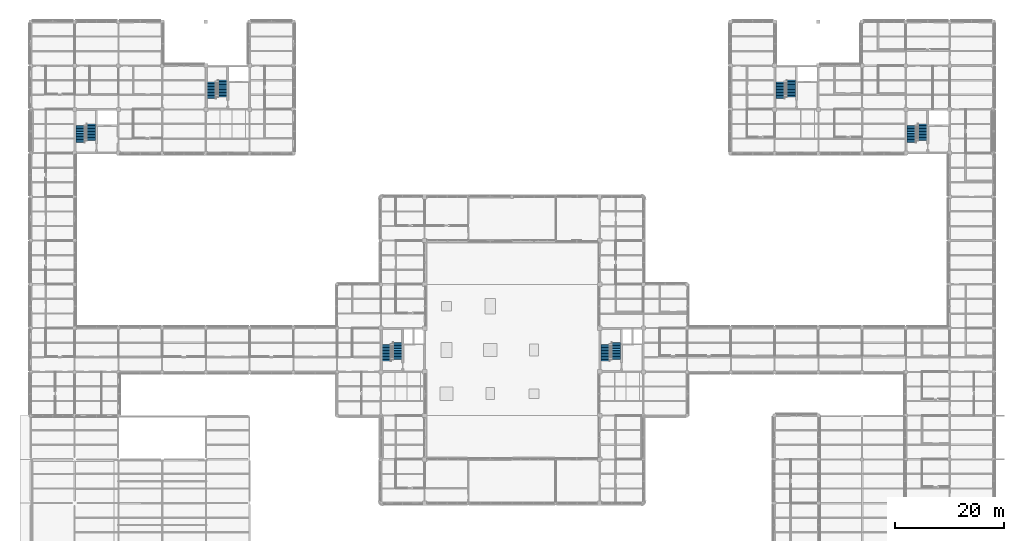
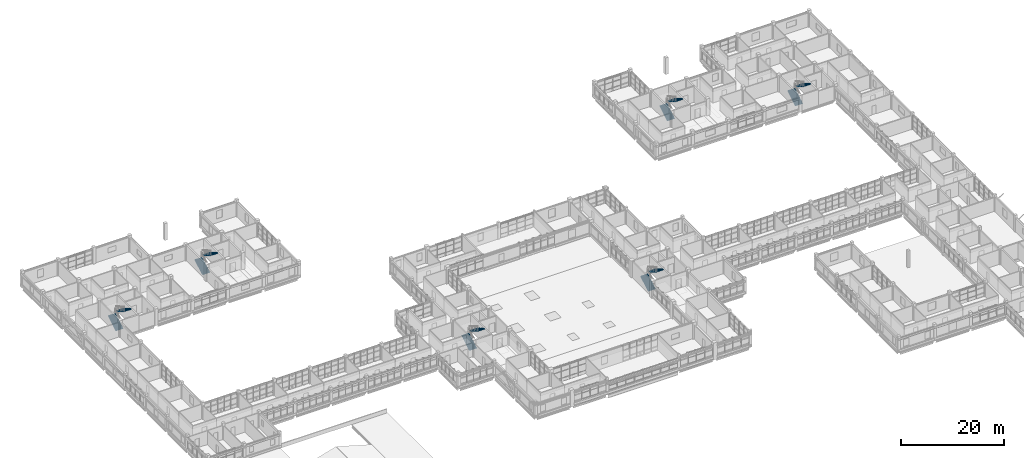
# One storey, part 89 of 107: 12 stair flights, 6 elements without a shape of their own.
"""IFC4 building model written with IfcOpenShell, lengths in metres."""

from ifc_helpers import new_model, si_unit, derived_unit, direction, frame, origin, place, context, subcontext, project, spatial, polyline, outline, extrude, material, type_object, element, aggregate, save


model = new_model("IFC4")

# Units and contexts
model_context = context("Model", 3, precision=1e-05, world=origin(), true_north=direction((0.0, 1.0)))
body_context = subcontext(model_context, "Body", "Model", "MODEL_VIEW")
ifc_project = project(units=[si_unit("LENGTHUNIT", "METRE"), si_unit("AREAUNIT", "SQUARE_METRE"), si_unit("VOLUMEUNIT", "CUBIC_METRE"), si_unit("PLANEANGLEUNIT", "RADIAN"), si_unit("MASSUNIT", "GRAM", prefix="KILO"), derived_unit("THERMALTRANSMITTANCEUNIT", [(si_unit("MASSUNIT", "GRAM", prefix="KILO"), 1), (si_unit("TIMEUNIT", "SECOND"), -3), (si_unit("THERMODYNAMICTEMPERATUREUNIT", "KELVIN"), -1)])], contexts=[model_context])

# Site, building, storey
site_placement = place(None, origin())
site = spatial("IfcSite", under=ifc_project, at=site_placement, CompositionType="ELEMENT")
building_placement = place(site_placement, origin())
building = spatial("IfcBuilding", under=site, at=building_placement, Name="Veyamyaing Civic Hall", CompositionType="ELEMENT")
storey_placement = place(building_placement, frame((0.0, 0.0, 13.860107421875)))
storey = spatial("IfcBuildingStorey", under=building, at=storey_placement, Name="L03", CompositionType="ELEMENT", Elevation=13.860107421875)

# Stair, stair flights
ifc_material = material(Name="Concrete C40/50", Category="concrete")
stair_type = type_object("IfcStairType", Name="ST-D", PredefinedType="HALF_TURN_STAIR", material=ifc_material)
stair_1_placement = place(storey_placement, origin())
stair_1 = element("IfcStair", 1, at=stair_1_placement, inside=storey, type_object=stair_type, Name="Protected exit stair ST-01 L03", PredefinedType="HALF_TURN_STAIR")
stair_flight_type = type_object("IfcStairFlightType", Name="SF-12", PredefinedType="STRAIGHT", material=ifc_material)
stair_flight_1_placement = place(storey_placement, frame((9.0400390625, 89.949951171875, 0.0), z_axis=(0.0, 0.0, 1.0), x_axis=(0.0, 1.0, 0.0)))
stair_flight_1 = element("IfcStairFlight", 2, at=stair_flight_1_placement, type_object=stair_flight_type, Name="ST-01 flight 1", NumberOfRisers=12, NumberOfTreads=11, PredefinedType="STRAIGHT", RiserHeight=0.165, TreadLength=0.28, context=body_context, shape_type="SweptSolid", body=[
    extrude(outline(polyline([(0.0, 0.0), (0.0, 0.1650390625), (0.280029296875, 0.1650390625), (0.280029296875, 0.330078125), (0.56005859375, 0.330078125), (0.56005859375, 0.4951171875), (0.840087890625, 0.4951171875), (0.840087890625, 0.659912109375), (1.1201171875, 0.659912109375), (1.1201171875, 0.824951171875), (1.39990234375, 0.824951171875), (1.39990234375, 0.989990234375), (1.679931640625, 0.989990234375), (1.679931640625, 1.155029296875), (1.9599609375, 1.155029296875), (1.9599609375, 1.320068359375), (2.239990234375, 1.320068359375), (2.239990234375, 1.485107421875), (2.52001953125, 1.485107421875), (2.52001953125, 1.64990234375), (2.800048828125, 1.64990234375), (2.800048828125, 1.81494140625), (3.080078125, 1.81494140625), (3.080078125, 1.97998046875), (3.080078125, 1.64111328125), (0.295166015625, 0.0), (0.0, 0.0)])), frame((0.0, 0.81982421875, 0.0), z_axis=(0.0, -1.0, 0.0), x_axis=(1.0, 0.0, 0.0)), (0.0, 0.0, 1.0), 1.639892578125),
])
stair_flight_2_placement = place(storey_placement, frame((11.030029296875, 93.35009765625, 1.97998046875), z_axis=(0.0, 0.0, 1.0), x_axis=(0.0, -1.0, 0.0)))
stair_flight_2 = element("IfcStairFlight", 3, at=stair_flight_2_placement, type_object=stair_flight_type, Name="ST-01 flight 2", NumberOfRisers=12, NumberOfTreads=11, PredefinedType="STRAIGHT", RiserHeight=0.165, TreadLength=0.28, context=body_context, shape_type="SweptSolid", body=[
    extrude(outline(polyline([(0.0, 0.0), (0.0, 0.1650390625), (0.280029296875, 0.1650390625), (0.280029296875, 0.330078125), (0.56005859375, 0.330078125), (0.56005859375, 0.4951171875), (0.840087890625, 0.4951171875), (0.840087890625, 0.659912109375), (1.1201171875, 0.659912109375), (1.1201171875, 0.824951171875), (1.39990234375, 0.824951171875), (1.39990234375, 0.989990234375), (1.679931640625, 0.989990234375), (1.679931640625, 1.155029296875), (1.9599609375, 1.155029296875), (1.9599609375, 1.320068359375), (2.239990234375, 1.320068359375), (2.239990234375, 1.485107421875), (2.52001953125, 1.485107421875), (2.52001953125, 1.64990234375), (2.800048828125, 1.64990234375), (2.800048828125, 1.81494140625), (3.080078125, 1.81494140625), (3.080078125, 1.97998046875), (3.080078125, 1.64111328125), (0.295166015625, 0.0), (0.0, 0.0)])), frame((0.0, 0.81982421875, 0.0), z_axis=(0.0, -1.0, 0.0), x_axis=(1.0, 0.0, 0.0)), (0.0, 0.0, 1.0), 1.639892578125),
])
aggregate(stair_1, [stair_flight_1, stair_flight_2])

stair_2_placement = place(storey_placement, origin())
stair_2 = element("IfcStair", 4, at=stair_2_placement, inside=storey, type_object=stair_type, Name="Protected exit stair ST-02 L03", PredefinedType="HALF_TURN_STAIR")
stair_flight_3_placement = place(storey_placement, frame((33.0400390625, 97.949951171875, 0.0), z_axis=(0.0, 0.0, 1.0), x_axis=(0.0, 1.0, 0.0)))
stair_flight_3 = element("IfcStairFlight", 5, at=stair_flight_3_placement, type_object=stair_flight_type, Name="ST-02 flight 1", NumberOfRisers=12, NumberOfTreads=11, PredefinedType="STRAIGHT", RiserHeight=0.165, TreadLength=0.28, context=body_context, shape_type="SweptSolid", body=[
    extrude(outline(polyline([(0.0, 0.0), (0.0, 0.1650390625), (0.280029296875, 0.1650390625), (0.280029296875, 0.330078125), (0.56005859375, 0.330078125), (0.56005859375, 0.4951171875), (0.840087890625, 0.4951171875), (0.840087890625, 0.659912109375), (1.1201171875, 0.659912109375), (1.1201171875, 0.824951171875), (1.39990234375, 0.824951171875), (1.39990234375, 0.989990234375), (1.679931640625, 0.989990234375), (1.679931640625, 1.155029296875), (1.9599609375, 1.155029296875), (1.9599609375, 1.320068359375), (2.239990234375, 1.320068359375), (2.239990234375, 1.485107421875), (2.52001953125, 1.485107421875), (2.52001953125, 1.64990234375), (2.800048828125, 1.64990234375), (2.800048828125, 1.81494140625), (3.080078125, 1.81494140625), (3.080078125, 1.97998046875), (3.080078125, 1.64111328125), (0.295166015625, 0.0), (0.0, 0.0)])), frame((0.0, 0.81982421875, 0.0), z_axis=(0.0, -1.0, 0.0), x_axis=(1.0, 0.0, 0.0)), (0.0, 0.0, 1.0), 1.639892578125),
])
stair_flight_4_placement = place(storey_placement, frame((35.030029296875, 101.35009765625, 1.97998046875), z_axis=(0.0, 0.0, 1.0), x_axis=(0.0, -1.0, 0.0)))
stair_flight_4 = element("IfcStairFlight", 6, at=stair_flight_4_placement, type_object=stair_flight_type, Name="ST-02 flight 2", NumberOfRisers=12, NumberOfTreads=11, PredefinedType="STRAIGHT", RiserHeight=0.165, TreadLength=0.28, context=body_context, shape_type="SweptSolid", body=[
    extrude(outline(polyline([(0.0, 0.0), (0.0, 0.1650390625), (0.280029296875, 0.1650390625), (0.280029296875, 0.330078125), (0.56005859375, 0.330078125), (0.56005859375, 0.4951171875), (0.840087890625, 0.4951171875), (0.840087890625, 0.659912109375), (1.1201171875, 0.659912109375), (1.1201171875, 0.824951171875), (1.39990234375, 0.824951171875), (1.39990234375, 0.989990234375), (1.679931640625, 0.989990234375), (1.679931640625, 1.155029296875), (1.9599609375, 1.155029296875), (1.9599609375, 1.320068359375), (2.239990234375, 1.320068359375), (2.239990234375, 1.485107421875), (2.52001953125, 1.485107421875), (2.52001953125, 1.64990234375), (2.800048828125, 1.64990234375), (2.800048828125, 1.81494140625), (3.080078125, 1.81494140625), (3.080078125, 1.97998046875), (3.080078125, 1.64111328125), (0.295166015625, 0.0), (0.0, 0.0)])), frame((0.0, 0.81982421875, 0.0), z_axis=(0.0, -1.0, 0.0), x_axis=(1.0, 0.0, 0.0)), (0.0, 0.0, 1.0), 1.639892578125),
])
aggregate(stair_2, [stair_flight_3, stair_flight_4])

stair_3_placement = place(storey_placement, origin())
stair_3 = element("IfcStair", 7, at=stair_3_placement, inside=storey, type_object=stair_type, Name="Protected exit stair ST-03 L03", PredefinedType="HALF_TURN_STAIR")
stair_flight_5_placement = place(storey_placement, frame((161.0400390625, 89.949951171875, 0.0), z_axis=(0.0, 0.0, 1.0), x_axis=(0.0, 1.0, 0.0)))
stair_flight_5 = element("IfcStairFlight", 8, at=stair_flight_5_placement, type_object=stair_flight_type, Name="ST-03 flight 1", NumberOfRisers=12, NumberOfTreads=11, PredefinedType="STRAIGHT", RiserHeight=0.165, TreadLength=0.28, context=body_context, shape_type="SweptSolid", body=[
    extrude(outline(polyline([(0.0, 0.0), (0.0, 0.1650390625), (0.280029296875, 0.1650390625), (0.280029296875, 0.330078125), (0.56005859375, 0.330078125), (0.56005859375, 0.4951171875), (0.840087890625, 0.4951171875), (0.840087890625, 0.659912109375), (1.1201171875, 0.659912109375), (1.1201171875, 0.824951171875), (1.39990234375, 0.824951171875), (1.39990234375, 0.989990234375), (1.679931640625, 0.989990234375), (1.679931640625, 1.155029296875), (1.9599609375, 1.155029296875), (1.9599609375, 1.320068359375), (2.239990234375, 1.320068359375), (2.239990234375, 1.485107421875), (2.52001953125, 1.485107421875), (2.52001953125, 1.64990234375), (2.800048828125, 1.64990234375), (2.800048828125, 1.81494140625), (3.080078125, 1.81494140625), (3.080078125, 1.97998046875), (3.080078125, 1.64111328125), (0.295166015625, 0.0), (0.0, 0.0)])), frame((0.0, 0.81982421875, 0.0), z_axis=(0.0, -1.0, 0.0), x_axis=(1.0, 0.0, 0.0)), (0.0, 0.0, 1.0), 1.639892578125),
])
stair_flight_6_placement = place(storey_placement, frame((163.030029296875, 93.35009765625, 1.97998046875), z_axis=(0.0, 0.0, 1.0), x_axis=(0.0, -1.0, 0.0)))
stair_flight_6 = element("IfcStairFlight", 9, at=stair_flight_6_placement, type_object=stair_flight_type, Name="ST-03 flight 2", NumberOfRisers=12, NumberOfTreads=11, PredefinedType="STRAIGHT", RiserHeight=0.165, TreadLength=0.28, context=body_context, shape_type="SweptSolid", body=[
    extrude(outline(polyline([(0.0, 0.0), (0.0, 0.1650390625), (0.280029296875, 0.1650390625), (0.280029296875, 0.330078125), (0.56005859375, 0.330078125), (0.56005859375, 0.4951171875), (0.840087890625, 0.4951171875), (0.840087890625, 0.659912109375), (1.1201171875, 0.659912109375), (1.1201171875, 0.824951171875), (1.39990234375, 0.824951171875), (1.39990234375, 0.989990234375), (1.679931640625, 0.989990234375), (1.679931640625, 1.155029296875), (1.9599609375, 1.155029296875), (1.9599609375, 1.320068359375), (2.239990234375, 1.320068359375), (2.239990234375, 1.485107421875), (2.52001953125, 1.485107421875), (2.52001953125, 1.64990234375), (2.800048828125, 1.64990234375), (2.800048828125, 1.81494140625), (3.080078125, 1.81494140625), (3.080078125, 1.97998046875), (3.080078125, 1.64111328125), (0.295166015625, 0.0), (0.0, 0.0)])), frame((0.0, 0.81982421875, 0.0), z_axis=(0.0, -1.0, 0.0), x_axis=(1.0, 0.0, 0.0)), (0.0, 0.0, 1.0), 1.639892578125),
])
aggregate(stair_3, [stair_flight_5, stair_flight_6])

stair_4_placement = place(storey_placement, origin())
stair_4 = element("IfcStair", 10, at=stair_4_placement, inside=storey, type_object=stair_type, Name="Protected exit stair ST-04 L03", PredefinedType="HALF_TURN_STAIR")
stair_flight_7_placement = place(storey_placement, frame((137.0400390625, 97.949951171875, 0.0), z_axis=(0.0, 0.0, 1.0), x_axis=(0.0, 1.0, 0.0)))
stair_flight_7 = element("IfcStairFlight", 11, at=stair_flight_7_placement, type_object=stair_flight_type, Name="ST-04 flight 1", NumberOfRisers=12, NumberOfTreads=11, PredefinedType="STRAIGHT", RiserHeight=0.165, TreadLength=0.28, context=body_context, shape_type="SweptSolid", body=[
    extrude(outline(polyline([(0.0, 0.0), (0.0, 0.1650390625), (0.280029296875, 0.1650390625), (0.280029296875, 0.330078125), (0.56005859375, 0.330078125), (0.56005859375, 0.4951171875), (0.840087890625, 0.4951171875), (0.840087890625, 0.659912109375), (1.1201171875, 0.659912109375), (1.1201171875, 0.824951171875), (1.39990234375, 0.824951171875), (1.39990234375, 0.989990234375), (1.679931640625, 0.989990234375), (1.679931640625, 1.155029296875), (1.9599609375, 1.155029296875), (1.9599609375, 1.320068359375), (2.239990234375, 1.320068359375), (2.239990234375, 1.485107421875), (2.52001953125, 1.485107421875), (2.52001953125, 1.64990234375), (2.800048828125, 1.64990234375), (2.800048828125, 1.81494140625), (3.080078125, 1.81494140625), (3.080078125, 1.97998046875), (3.080078125, 1.64111328125), (0.295166015625, 0.0), (0.0, 0.0)])), frame((0.0, 0.81982421875, 0.0), z_axis=(0.0, -1.0, 0.0), x_axis=(1.0, 0.0, 0.0)), (0.0, 0.0, 1.0), 1.639892578125),
])
stair_flight_8_placement = place(storey_placement, frame((139.030029296875, 101.35009765625, 1.97998046875), z_axis=(0.0, 0.0, 1.0), x_axis=(0.0, -1.0, 0.0)))
stair_flight_8 = element("IfcStairFlight", 12, at=stair_flight_8_placement, type_object=stair_flight_type, Name="ST-04 flight 2", NumberOfRisers=12, NumberOfTreads=11, PredefinedType="STRAIGHT", RiserHeight=0.165, TreadLength=0.28, context=body_context, shape_type="SweptSolid", body=[
    extrude(outline(polyline([(0.0, 0.0), (0.0, 0.1650390625), (0.280029296875, 0.1650390625), (0.280029296875, 0.330078125), (0.56005859375, 0.330078125), (0.56005859375, 0.4951171875), (0.840087890625, 0.4951171875), (0.840087890625, 0.659912109375), (1.1201171875, 0.659912109375), (1.1201171875, 0.824951171875), (1.39990234375, 0.824951171875), (1.39990234375, 0.989990234375), (1.679931640625, 0.989990234375), (1.679931640625, 1.155029296875), (1.9599609375, 1.155029296875), (1.9599609375, 1.320068359375), (2.239990234375, 1.320068359375), (2.239990234375, 1.485107421875), (2.52001953125, 1.485107421875), (2.52001953125, 1.64990234375), (2.800048828125, 1.64990234375), (2.800048828125, 1.81494140625), (3.080078125, 1.81494140625), (3.080078125, 1.97998046875), (3.080078125, 1.64111328125), (0.295166015625, 0.0), (0.0, 0.0)])), frame((0.0, 0.81982421875, 0.0), z_axis=(0.0, -1.0, 0.0), x_axis=(1.0, 0.0, 0.0)), (0.0, 0.0, 1.0), 1.639892578125),
])
aggregate(stair_4, [stair_flight_7, stair_flight_8])

stair_5_placement = place(storey_placement, origin())
stair_5 = element("IfcStair", 13, at=stair_5_placement, inside=storey, type_object=stair_type, Name="Protected exit stair ST-05 L03", PredefinedType="HALF_TURN_STAIR")
stair_flight_9_placement = place(storey_placement, frame((65.0400390625, 49.949951171875, 0.0), z_axis=(0.0, 0.0, 1.0), x_axis=(0.0, 1.0, 0.0)))
stair_flight_9 = element("IfcStairFlight", 14, at=stair_flight_9_placement, type_object=stair_flight_type, Name="ST-05 flight 1", NumberOfRisers=12, NumberOfTreads=11, PredefinedType="STRAIGHT", RiserHeight=0.165, TreadLength=0.28, context=body_context, shape_type="SweptSolid", body=[
    extrude(outline(polyline([(0.0, 0.0), (0.0, 0.1650390625), (0.280029296875, 0.1650390625), (0.280029296875, 0.330078125), (0.56005859375, 0.330078125), (0.56005859375, 0.4951171875), (0.840087890625, 0.4951171875), (0.840087890625, 0.659912109375), (1.1201171875, 0.659912109375), (1.1201171875, 0.824951171875), (1.39990234375, 0.824951171875), (1.39990234375, 0.989990234375), (1.679931640625, 0.989990234375), (1.679931640625, 1.155029296875), (1.9599609375, 1.155029296875), (1.9599609375, 1.320068359375), (2.239990234375, 1.320068359375), (2.239990234375, 1.485107421875), (2.52001953125, 1.485107421875), (2.52001953125, 1.64990234375), (2.800048828125, 1.64990234375), (2.800048828125, 1.81494140625), (3.080078125, 1.81494140625), (3.080078125, 1.97998046875), (3.080078125, 1.64111328125), (0.295166015625, 0.0), (0.0, 0.0)])), frame((0.0, 0.81982421875, 0.0), z_axis=(0.0, -1.0, 0.0), x_axis=(1.0, 0.0, 0.0)), (0.0, 0.0, 1.0), 1.639892578125),
])
stair_flight_10_placement = place(storey_placement, frame((67.030029296875, 53.35009765625, 1.97998046875), z_axis=(0.0, 0.0, 1.0), x_axis=(0.0, -1.0, 0.0)))
stair_flight_10 = element("IfcStairFlight", 15, at=stair_flight_10_placement, type_object=stair_flight_type, Name="ST-05 flight 2", NumberOfRisers=12, NumberOfTreads=11, PredefinedType="STRAIGHT", RiserHeight=0.165, TreadLength=0.28, context=body_context, shape_type="SweptSolid", body=[
    extrude(outline(polyline([(0.0, 0.0), (0.0, 0.1650390625), (0.280029296875, 0.1650390625), (0.280029296875, 0.330078125), (0.56005859375, 0.330078125), (0.56005859375, 0.4951171875), (0.840087890625, 0.4951171875), (0.840087890625, 0.659912109375), (1.1201171875, 0.659912109375), (1.1201171875, 0.824951171875), (1.39990234375, 0.824951171875), (1.39990234375, 0.989990234375), (1.679931640625, 0.989990234375), (1.679931640625, 1.155029296875), (1.9599609375, 1.155029296875), (1.9599609375, 1.320068359375), (2.239990234375, 1.320068359375), (2.239990234375, 1.485107421875), (2.52001953125, 1.485107421875), (2.52001953125, 1.64990234375), (2.800048828125, 1.64990234375), (2.800048828125, 1.81494140625), (3.080078125, 1.81494140625), (3.080078125, 1.97998046875), (3.080078125, 1.64111328125), (0.295166015625, 0.0), (0.0, 0.0)])), frame((0.0, 0.81982421875, 0.0), z_axis=(0.0, -1.0, 0.0), x_axis=(1.0, 0.0, 0.0)), (0.0, 0.0, 1.0), 1.639892578125),
])
aggregate(stair_5, [stair_flight_9, stair_flight_10])

stair_6_placement = place(storey_placement, origin())
stair_6 = element("IfcStair", 16, at=stair_6_placement, inside=storey, type_object=stair_type, Name="Protected exit stair ST-06 L03", PredefinedType="HALF_TURN_STAIR")
stair_flight_11_placement = place(storey_placement, frame((105.0400390625, 49.949951171875, 0.0), z_axis=(0.0, 0.0, 1.0), x_axis=(0.0, 1.0, 0.0)))
stair_flight_11 = element("IfcStairFlight", 17, at=stair_flight_11_placement, type_object=stair_flight_type, Name="ST-06 flight 1", NumberOfRisers=12, NumberOfTreads=11, PredefinedType="STRAIGHT", RiserHeight=0.165, TreadLength=0.28, context=body_context, shape_type="SweptSolid", body=[
    extrude(outline(polyline([(0.0, 0.0), (0.0, 0.1650390625), (0.280029296875, 0.1650390625), (0.280029296875, 0.330078125), (0.56005859375, 0.330078125), (0.56005859375, 0.4951171875), (0.840087890625, 0.4951171875), (0.840087890625, 0.659912109375), (1.1201171875, 0.659912109375), (1.1201171875, 0.824951171875), (1.39990234375, 0.824951171875), (1.39990234375, 0.989990234375), (1.679931640625, 0.989990234375), (1.679931640625, 1.155029296875), (1.9599609375, 1.155029296875), (1.9599609375, 1.320068359375), (2.239990234375, 1.320068359375), (2.239990234375, 1.485107421875), (2.52001953125, 1.485107421875), (2.52001953125, 1.64990234375), (2.800048828125, 1.64990234375), (2.800048828125, 1.81494140625), (3.080078125, 1.81494140625), (3.080078125, 1.97998046875), (3.080078125, 1.64111328125), (0.295166015625, 0.0), (0.0, 0.0)])), frame((0.0, 0.81982421875, 0.0), z_axis=(0.0, -1.0, 0.0), x_axis=(1.0, 0.0, 0.0)), (0.0, 0.0, 1.0), 1.639892578125),
])
stair_flight_12_placement = place(storey_placement, frame((107.030029296875, 53.35009765625, 1.97998046875), z_axis=(0.0, 0.0, 1.0), x_axis=(0.0, -1.0, 0.0)))
stair_flight_12 = element("IfcStairFlight", 18, at=stair_flight_12_placement, type_object=stair_flight_type, Name="ST-06 flight 2", NumberOfRisers=12, NumberOfTreads=11, PredefinedType="STRAIGHT", RiserHeight=0.165, TreadLength=0.28, context=body_context, shape_type="SweptSolid", body=[
    extrude(outline(polyline([(0.0, 0.0), (0.0, 0.1650390625), (0.280029296875, 0.1650390625), (0.280029296875, 0.330078125), (0.56005859375, 0.330078125), (0.56005859375, 0.4951171875), (0.840087890625, 0.4951171875), (0.840087890625, 0.659912109375), (1.1201171875, 0.659912109375), (1.1201171875, 0.824951171875), (1.39990234375, 0.824951171875), (1.39990234375, 0.989990234375), (1.679931640625, 0.989990234375), (1.679931640625, 1.155029296875), (1.9599609375, 1.155029296875), (1.9599609375, 1.320068359375), (2.239990234375, 1.320068359375), (2.239990234375, 1.485107421875), (2.52001953125, 1.485107421875), (2.52001953125, 1.64990234375), (2.800048828125, 1.64990234375), (2.800048828125, 1.81494140625), (3.080078125, 1.81494140625), (3.080078125, 1.97998046875), (3.080078125, 1.64111328125), (0.295166015625, 0.0), (0.0, 0.0)])), frame((0.0, 0.81982421875, 0.0), z_axis=(0.0, -1.0, 0.0), x_axis=(1.0, 0.0, 0.0)), (0.0, 0.0, 1.0), 1.639892578125),
])
aggregate(stair_6, [stair_flight_11, stair_flight_12])

save(model, "model.ifc")
